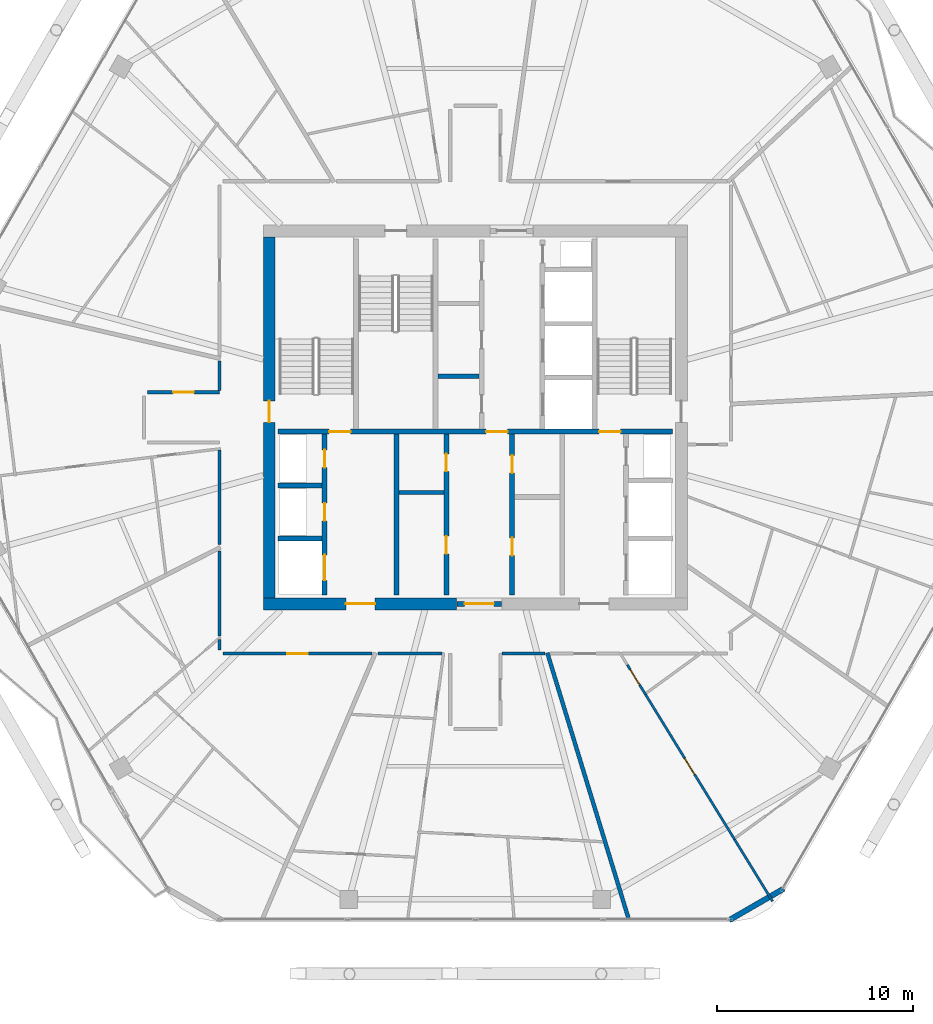
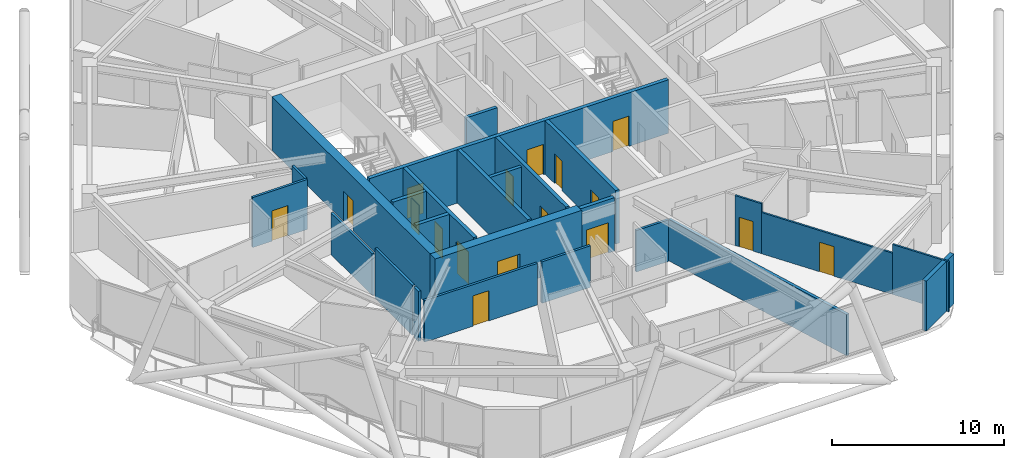
# One storey, part 21 of 27: 25 walls, 17 doors, 17 openings.
"""IFC4 building model written with IfcOpenShell, lengths in metres."""

from ifc_helpers import new_model, si_unit, direction, frame, frame_2d, origin, place, context, subcontext, project, spatial, rectangle, extrude, material, layer, layer_set, type_object, element, fill, save


model = new_model("IFC4")

# Units and contexts
model_context = context("Model", 3, precision=1e-05, world=origin(), true_north=direction((0.0, 1.0)))
body_context = subcontext(model_context, "Body", "Model", "MODEL_VIEW")
ifc_project = project(units=[si_unit("LENGTHUNIT", "METRE"), si_unit("AREAUNIT", "SQUARE_METRE"), si_unit("VOLUMEUNIT", "CUBIC_METRE"), si_unit("PLANEANGLEUNIT", "RADIAN"), si_unit("MASSUNIT", "GRAM", prefix="KILO")], contexts=[model_context])

# Site, building, storey
site_placement = place(None, origin())
site = spatial("IfcSite", under=ifc_project, at=site_placement, CompositionType="ELEMENT")
building_placement = place(site_placement, origin())
building = spatial("IfcBuilding", under=site, at=building_placement, Name="Zuhravey Tower", CompositionType="ELEMENT")
storey_placement = place(building_placement, frame((0.0, 0.0, 261.60009765625)))
storey = spatial("IfcBuildingStorey", under=building, at=storey_placement, Name="L66", CompositionType="ELEMENT", Elevation=261.60009765625)

# Wall, opening, door
ifc_material_1 = material(Name="Concrete C50/60", Category="concrete")
ifc_layer_1 = layer(ifc_material_1, 0.60009765625)
ifc_layer_set_1 = layer_set([ifc_layer_1], Name="Concrete C50/60")
wall_type_1 = type_object("IfcWallType", Name="Core Shear Wall 600", PredefinedType="SHEAR", material=ifc_layer_set_1)
wall_1_placement = place(storey_placement, frame((25.199951171875, 22.5, 0.0), z_axis=(0.0, 0.0, 1.0), x_axis=(1.0, 0.0, 0.0)))
wall_1 = element("IfcWall", 1, at=wall_1_placement, inside=storey, type_object=wall_type_1, Name="L66 South-West Core Shear Wall CW60", PredefinedType="SHEAR", context=body_context, shape_type="SweptSolid", body=[
    extrude(rectangle(XDim=9.85009765625, YDim=0.60009765625, at=frame_2d((4.925048828125, 0.0))), origin(), (0.0, 0.0, 1.0), 3.7998046875),
])
opening_1_placement = place(wall_1_placement, frame((4.199951171875, 0.0, 0.0)))
opening_1 = element("IfcOpeningElement", 2, at=opening_1_placement, cuts=wall_1, Name="Opening FFD1", PredefinedType="OPENING", context=body_context, shape_type="SweptSolid", body=[
    extrude(rectangle(XDim=1.5, YDim=2.14990234375, at=frame_2d((0.75, 1.074951171875))), frame((0.0, 0.31201171875, 0.0), z_axis=(0.0, -1.0, 0.0), x_axis=(1.0, 0.0, 0.0)), (0.0, 0.0, 1.0), 0.6240234375),
])
ifc_material_2 = material(Name="Galvanised fire-rated steel leaf", Category="steel")
door_type_1 = type_object("IfcDoorType", Name="Firefighting Lobby Double Door 1500x2150", OperationType="DOUBLE_DOOR_SINGLE_SWING", PredefinedType="DOOR", material=ifc_material_2)
door_1_placement = place(opening_1_placement, origin())
door_1 = element("IfcDoor", 3, at=door_1_placement, inside=storey, type_object=door_type_1, Name="L66 Firefighting Lobby West Door", OperationType="DOUBLE_DOOR_SINGLE_SWING", OverallHeight=2.14990234375, OverallWidth=1.5, PredefinedType="DOOR", context=body_context, shape_type="SweptSolid", body=[
    extrude(rectangle(XDim=1.5, YDim=2.14990234375, at=frame_2d((0.75, 1.074951171875))), frame((0.0, 0.02490234375, 0.0), z_axis=(0.0, -1.0, 0.0), x_axis=(1.0, 0.0, 0.0)), (0.0, 0.0, 1.0), 0.050048828125),
])
fill(opening_1, door_1)

wall_2_placement = place(storey_placement, frame((25.5, 22.800048828125, 0.0), z_axis=(0.0, 0.0, 1.0), x_axis=(0.0, 1.0, 0.0)))
wall_2 = element("IfcWall", 4, at=wall_2_placement, inside=storey, type_object=wall_type_1, Name="L66 West Core Shear Wall CW60", PredefinedType="SHEAR", context=body_context, shape_type="SweptSolid", body=[
    extrude(rectangle(XDim=18.39990234375, YDim=0.60009765625, at=frame_2d((9.199951171875, 0.0))), origin(), (0.0, 0.0, 1.0), 3.7998046875),
])
opening_2_placement = place(wall_2_placement, frame((8.949951171875, 0.0, 0.0)))
opening_2 = element("IfcOpeningElement", 5, at=opening_2_placement, cuts=wall_2, Name="Opening STD1", PredefinedType="OPENING", context=body_context, shape_type="SweptSolid", body=[
    extrude(rectangle(XDim=1.10009765625, YDim=2.14990234375, at=frame_2d((0.550048828125, 1.074951171875))), frame((0.0, 0.31201171875, 0.0), z_axis=(0.0, -1.0, 0.0), x_axis=(1.0, 0.0, 0.0)), (0.0, 0.0, 1.0), 0.6240234375),
])
door_type_2 = type_object("IfcDoorType", Name="Protected Stair Fire Door 1100x2150", OperationType="NOTDEFINED", PredefinedType="USERDEFINED", material=ifc_material_2)
door_2_placement = place(opening_2_placement, frame((1.10009765625, 0.0, 0.0), z_axis=(0.0, 0.0, 1.0), x_axis=(-1.0, 0.0, 0.0)))
door_2 = element("IfcDoor", 6, at=door_2_placement, inside=storey, type_object=door_type_2, Name="L66 Stair ST1 Door", ObjectType="EXITDOOR", OperationType="SINGLE_SWING_LEFT", OverallHeight=2.14990234375, OverallWidth=1.10009765625, PredefinedType="USERDEFINED", context=body_context, shape_type="SweptSolid", body=[
    extrude(rectangle(XDim=1.10009765625, YDim=2.14990234375, at=frame_2d((0.550048828125, 1.074951171875))), frame((0.0, 0.02490234375, 0.0), z_axis=(0.0, -1.0, 0.0), x_axis=(1.0, 0.0, 0.0)), (0.0, 0.0, 1.0), 0.050048828125),
])
fill(opening_2, door_2)

ifc_material_3 = material(Name="Gypsum fire-rated stud partition")
ifc_layer_2 = layer(ifc_material_3, 0.159912109375)
ifc_layer_set_2 = layer_set([ifc_layer_2], Name="Gypsum fire-rated stud partition")
wall_type_2 = type_object("IfcWallType", Name="Corridor Fire Partition 160", PredefinedType="PARTITIONING", material=ifc_layer_set_2)
wall_3_placement = place(storey_placement, frame((22.969970703125, 33.280029296875, 0.0), z_axis=(0.0, 0.0, 1.0), x_axis=(-1.0, 0.0, 0.0)))
wall_3 = element("IfcWall", 7, at=wall_3_placement, inside=storey, type_object=wall_type_2, Name="L66 IW16 Partition 030", PredefinedType="PARTITIONING", context=body_context, shape_type="SweptSolid", body=[
    extrude(rectangle(XDim=3.669921875, YDim=0.159912109375, at=frame_2d((1.8349609375, 0.0))), origin(), (0.0, 0.0, 1.0), 3.5498046875),
])
opening_3_placement = place(wall_3_placement, frame((1.31005859375, 0.0, 0.0)))
opening_3 = element("IfcOpeningElement", 8, at=opening_3_placement, cuts=wall_3, Name="Opening APD1", PredefinedType="OPENING", context=body_context, shape_type="SweptSolid", body=[
    extrude(rectangle(XDim=1.050048828125, YDim=2.14990234375, at=frame_2d((0.52490234375, 1.074951171875))), frame((0.0, 0.092041015625, 0.0), z_axis=(0.0, -1.0, 0.0), x_axis=(1.0, 0.0, 0.0)), (0.0, 0.0, 1.0), 0.183837890625),
])
ifc_material_4 = material(Name="Solid-core oak fire-rated leaf")
door_type_3 = type_object("IfcDoorType", Name="Apartment Entrance Fire Door 1050x2150", OperationType="NOTDEFINED", PredefinedType="DOOR", material=ifc_material_4)
door_3_placement = place(opening_3_placement, origin())
door_3 = element("IfcDoor", 9, at=door_3_placement, inside=storey, type_object=door_type_3, Name="L66 Door 030.1", OperationType="SINGLE_SWING_LEFT", OverallHeight=2.14990234375, OverallWidth=1.050048828125, PredefinedType="DOOR", context=body_context, shape_type="SweptSolid", body=[
    extrude(rectangle(XDim=1.050048828125, YDim=2.14990234375, at=frame_2d((0.52490234375, 1.074951171875))), frame((0.0, 0.02490234375, 0.0), z_axis=(0.0, -1.0, 0.0), x_axis=(1.0, 0.0, 0.0)), (0.0, 0.0, 1.0), 0.050048828125),
])
fill(opening_3, door_3)

wall_4_placement = place(storey_placement, frame((23.14990234375, 19.969970703125, 0.0), z_axis=(0.0, 0.0, 1.0), x_axis=(1.0, 0.0, 0.0)))
wall_4 = element("IfcWall", 10, at=wall_4_placement, inside=storey, type_object=wall_type_2, Name="L66 IW16 Partition 035", PredefinedType="PARTITIONING", context=body_context, shape_type="SweptSolid", body=[
    extrude(rectangle(XDim=7.597412109375, YDim=0.159912109375, at=frame_2d((3.798828125, 0.0))), origin(), (0.0, 0.0, 1.0), 2.949951171875),
])
opening_4_placement = place(wall_4_placement, frame((3.273681640625, 0.0, 0.0)))
opening_4 = element("IfcOpeningElement", 11, at=opening_4_placement, cuts=wall_4, Name="Opening APD1", PredefinedType="OPENING", context=body_context, shape_type="SweptSolid", body=[
    extrude(rectangle(XDim=1.050048828125, YDim=2.14990234375, at=frame_2d((0.52490234375, 1.074951171875))), frame((0.0, 0.092041015625, 0.0), z_axis=(0.0, -1.0, 0.0), x_axis=(1.0, 0.0, 0.0)), (0.0, 0.0, 1.0), 0.183837890625),
])
door_4_placement = place(opening_4_placement, frame((1.050048828125, 0.0, 0.0), z_axis=(0.0, 0.0, 1.0), x_axis=(-1.0, 0.0, 0.0)))
door_4 = element("IfcDoor", 12, at=door_4_placement, inside=storey, type_object=door_type_3, Name="L66 Door 035.1", OperationType="SINGLE_SWING_RIGHT", OverallHeight=2.14990234375, OverallWidth=1.050048828125, PredefinedType="DOOR", context=body_context, shape_type="SweptSolid", body=[
    extrude(rectangle(XDim=1.050048828125, YDim=2.14990234375, at=frame_2d((0.52490234375, 1.074951171875))), frame((0.0, 0.02490234375, 0.0), z_axis=(0.0, -1.0, 0.0), x_axis=(1.0, 0.0, 0.0)), (0.0, 0.0, 1.0), 0.050048828125),
])
fill(opening_4, door_4)

# Walls
wall_5_placement = place(storey_placement, frame((22.969970703125, 34.8681640625, 0.0), z_axis=(0.0, 0.0, 1.0), x_axis=(0.0, -1.0, 0.0)))
element("IfcWall", 13, at=wall_5_placement, inside=storey, type_object=wall_type_2, Name="L66 IW16 Partition 107", PredefinedType="PARTITIONING", context=body_context, shape_type="SweptSolid", body=[
    extrude(rectangle(XDim=1.500244140625, YDim=0.159912109375, at=frame_2d((0.75, 0.0))), origin(), (0.0, 0.0, 1.0), 3.5498046875),
])
wall_6_placement = place(storey_placement, frame((22.969970703125, 30.33154296875, 0.0), z_axis=(0.0, 0.0, 1.0), x_axis=(0.0, -1.0, 0.0)))
element("IfcWall", 14, at=wall_6_placement, inside=storey, type_object=wall_type_2, Name="L66 IW16 Partition 108", PredefinedType="PARTITIONING", context=body_context, shape_type="SweptSolid", body=[
    extrude(rectangle(XDim=4.8056640625, YDim=0.159912109375, at=frame_2d((2.40283203125, 0.0))), origin(), (0.0, 0.0, 1.0), 2.949951171875),
])
wall_7_placement = place(storey_placement, frame((22.969970703125, 20.678955078125, 0.0), z_axis=(0.0, 0.0, 1.0), x_axis=(0.0, -1.0, 0.0)))
element("IfcWall", 15, at=wall_7_placement, inside=storey, type_object=wall_type_2, Name="L66 IW16 Partition 109", PredefinedType="PARTITIONING", context=body_context, shape_type="SweptSolid", body=[
    extrude(rectangle(XDim=0.529052734375, YDim=0.159912109375, at=frame_2d((0.2646484375, 0.0))), origin(), (0.0, 0.0, 1.0), 3.5498046875),
])
wall_8_placement = place(storey_placement, frame((22.969970703125, 25.194580078125, 0.0), z_axis=(0.0, 0.0, 1.0), x_axis=(0.0, -1.0, 0.0)))
element("IfcWall", 16, at=wall_8_placement, inside=storey, type_object=wall_type_2, Name="L66 IW16 Partition 110", PredefinedType="PARTITIONING", context=body_context, shape_type="SweptSolid", body=[
    extrude(rectangle(XDim=4.336181640625, YDim=0.159912109375, at=frame_2d((2.16796875, 0.0))), origin(), (0.0, 0.0, 1.0), 3.5498046875),
])
wall_9_placement = place(storey_placement, frame((37.367919921875, 19.969970703125, 0.0), z_axis=(0.0, 0.0, 1.0), x_axis=(1.0, 0.0, 0.0)))
element("IfcWall", 17, at=wall_9_placement, inside=storey, type_object=wall_type_2, Name="L66 IW16 Partition 112", PredefinedType="PARTITIONING", context=body_context, shape_type="SweptSolid", body=[
    extrude(rectangle(XDim=2.174560546875, YDim=0.159912109375, at=frame_2d((1.08740234375, 0.0))), origin(), (0.0, 0.0, 1.0), 2.949951171875),
])
wall_10_placement = place(storey_placement, frame((31.038818359375, 19.969970703125, 0.0), z_axis=(0.0, 0.0, 1.0), x_axis=(1.0, 0.0, 0.0)))
element("IfcWall", 18, at=wall_10_placement, inside=storey, type_object=wall_type_2, Name="L66 IW16 Partition 114", PredefinedType="PARTITIONING", context=body_context, shape_type="SweptSolid", body=[
    extrude(rectangle(XDim=3.270263671875, YDim=0.159912109375, at=frame_2d((1.63525390625, 0.0))), origin(), (0.0, 0.0, 1.0), 2.949951171875),
])
ifc_material_5 = material(Name="Precast concrete C40/50", Category="concrete")
ifc_layer_3 = layer(ifc_material_5, 0.280029296875)
ifc_layer_set_3 = layer_set([ifc_layer_3], Name="Precast concrete C40/50")
wall_type_3 = type_object("IfcWallType", Name="Crown Architectural Wall 280", PredefinedType="SOLIDWALL", material=ifc_layer_set_3)
wall_11_placement = place(storey_placement, frame((51.714599609375, 7.996337890625, 0.0), z_axis=(0.0, 0.0, 1.0), x_axis=(-0.866028773314, -0.499994163758, 0.0)))
element("IfcWall", 19, at=wall_11_placement, inside=storey, type_object=wall_type_3, Name="L66 Rounded Corner Closure Wall EW28-02", PredefinedType="SOLIDWALL", context=body_context, shape_type="SweptSolid", body=[
    extrude(rectangle(XDim=3.21484375, YDim=0.280029296875, at=frame_2d((1.607421875, 0.0))), origin(), (0.0, 0.0, 1.0), 3.5498046875),
])

# Wall, opening, door
ifc_layer_4 = layer(ifc_material_1, 0.25)
ifc_layer_set_4 = layer_set([ifc_layer_4], Name="Concrete C50/60")
wall_type_4 = type_object("IfcWallType", Name="Firefighting Shaft & Stair Wall 250", PredefinedType="SOLIDWALL", material=ifc_layer_set_4)
wall_12_placement = place(storey_placement, frame((35.06005859375, 22.5, 0.0), z_axis=(0.0, 0.0, 1.0), x_axis=(1.0, 0.0, 0.0)))
wall_12 = element("IfcWall", 20, at=wall_12_placement, inside=storey, type_object=wall_type_4, Name="L66 FW25 Shaft Wall 001", PredefinedType="SOLIDWALL", context=body_context, shape_type="SweptSolid", body=[
    extrude(rectangle(XDim=2.280029296875, YDim=0.25, at=frame_2d((1.14013671875, 0.0))), origin(), (0.0, 0.0, 1.0), 3.7998046875),
])
opening_5_placement = place(wall_12_placement, frame((0.389892578125, 0.0, 0.0)))
opening_5 = element("IfcOpeningElement", 21, at=opening_5_placement, cuts=wall_12, Name="Opening FFD1", PredefinedType="OPENING", context=body_context, shape_type="SweptSolid", body=[
    extrude(rectangle(XDim=1.5, YDim=2.14990234375, at=frame_2d((0.75, 1.074951171875))), frame((0.0, 0.136962890625, 0.0), z_axis=(0.0, -1.0, 0.0), x_axis=(1.0, 0.0, 0.0)), (0.0, 0.0, 1.0), 0.27392578125),
])
door_5_placement = place(opening_5_placement, frame((1.5, 0.0, 0.0), z_axis=(0.0, 0.0, 1.0), x_axis=(-1.0, 0.0, 0.0)))
door_5 = element("IfcDoor", 22, at=door_5_placement, inside=storey, type_object=door_type_1, Name="L66 South Lift Lobby Exit Door", OperationType="DOUBLE_DOOR_SINGLE_SWING", OverallHeight=2.14990234375, OverallWidth=1.5, PredefinedType="DOOR", context=body_context, shape_type="SweptSolid", body=[
    extrude(rectangle(XDim=1.5, YDim=2.14990234375, at=frame_2d((0.75, 1.074951171875))), frame((0.0, 0.02490234375, 0.0), z_axis=(0.0, -1.0, 0.0), x_axis=(1.0, 0.0, 0.0)), (0.0, 0.0, 1.0), 0.050048828125),
])
fill(opening_5, door_5)

# Wall, openings, doors
wall_13_placement = place(storey_placement, frame((25.949951171875, 31.27490234375, 0.0), z_axis=(0.0, 0.0, 1.0), x_axis=(1.0, 0.0, 0.0)))
wall_13 = element("IfcWall", 23, at=wall_13_placement, inside=storey, type_object=wall_type_4, Name="L66 FW25 Shaft Wall 003", PredefinedType="SOLIDWALL", context=body_context, shape_type="SweptSolid", body=[
    extrude(rectangle(XDim=20.10009765625, YDim=0.25, at=frame_2d((10.050048828125, 0.0))), origin(), (0.0, 0.0, 1.0), 3.7998046875),
])
opening_6_placement = place(wall_13_placement, frame((2.60009765625, 0.0, 0.0)))
opening_6 = element("IfcOpeningElement", 24, at=opening_6_placement, cuts=wall_13, Name="Opening STD1", PredefinedType="OPENING", context=body_context, shape_type="SweptSolid", body=[
    extrude(rectangle(XDim=1.10009765625, YDim=2.14990234375, at=frame_2d((0.550048828125, 1.074951171875))), frame((0.0, 0.136962890625, 0.0), z_axis=(0.0, -1.0, 0.0), x_axis=(1.0, 0.0, 0.0)), (0.0, 0.0, 1.0), 0.27392578125),
])
opening_7_placement = place(wall_13_placement, frame((10.60009765625, 0.0, 0.0)))
opening_7 = element("IfcOpeningElement", 25, at=opening_7_placement, cuts=wall_13, Name="Opening STD1", PredefinedType="OPENING", context=body_context, shape_type="SweptSolid", body=[
    extrude(rectangle(XDim=1.10009765625, YDim=2.14990234375, at=frame_2d((0.550048828125, 1.074951171875))), frame((0.0, 0.136962890625, 0.0), z_axis=(0.0, -1.0, 0.0), x_axis=(1.0, 0.0, 0.0)), (0.0, 0.0, 1.0), 0.27392578125),
])
opening_8_placement = place(wall_13_placement, frame((16.35009765625, 0.0, 0.0)))
opening_8 = element("IfcOpeningElement", 26, at=opening_8_placement, cuts=wall_13, Name="Opening STD1", PredefinedType="OPENING", context=body_context, shape_type="SweptSolid", body=[
    extrude(rectangle(XDim=1.10009765625, YDim=2.14990234375, at=frame_2d((0.550048828125, 1.074951171875))), frame((0.0, 0.136962890625, 0.0), z_axis=(0.0, -1.0, 0.0), x_axis=(1.0, 0.0, 0.0)), (0.0, 0.0, 1.0), 0.27392578125),
])
door_6_placement = place(opening_6_placement, origin())
door_6 = element("IfcDoor", 27, at=door_6_placement, inside=storey, type_object=door_type_2, Name="L66 FFL-W to ST1 Door", ObjectType="EXITDOOR", OperationType="SINGLE_SWING_RIGHT", OverallHeight=2.14990234375, OverallWidth=1.10009765625, PredefinedType="USERDEFINED", context=body_context, shape_type="SweptSolid", body=[
    extrude(rectangle(XDim=1.10009765625, YDim=2.14990234375, at=frame_2d((0.550048828125, 1.074951171875))), frame((0.0, 0.02490234375, 0.0), z_axis=(0.0, -1.0, 0.0), x_axis=(1.0, 0.0, 0.0)), (0.0, 0.0, 1.0), 0.050048828125),
])
fill(opening_6, door_6)
door_7_placement = place(opening_7_placement, origin())
door_7 = element("IfcDoor", 28, at=door_7_placement, inside=storey, type_object=door_type_2, Name="L66 Core Lobby Link Door", ObjectType="EXITDOOR", OperationType="SINGLE_SWING_LEFT", OverallHeight=2.14990234375, OverallWidth=1.10009765625, PredefinedType="USERDEFINED", context=body_context, shape_type="SweptSolid", body=[
    extrude(rectangle(XDim=1.10009765625, YDim=2.14990234375, at=frame_2d((0.550048828125, 1.074951171875))), frame((0.0, 0.02490234375, 0.0), z_axis=(0.0, -1.0, 0.0), x_axis=(1.0, 0.0, 0.0)), (0.0, 0.0, 1.0), 0.050048828125),
])
fill(opening_7, door_7)
door_8_placement = place(opening_8_placement, origin())
door_8 = element("IfcDoor", 29, at=door_8_placement, inside=storey, type_object=door_type_2, Name="L66 FFL-E to ST2 Door", ObjectType="EXITDOOR", OperationType="SINGLE_SWING_RIGHT", OverallHeight=2.14990234375, OverallWidth=1.10009765625, PredefinedType="USERDEFINED", context=body_context, shape_type="SweptSolid", body=[
    extrude(rectangle(XDim=1.10009765625, YDim=2.14990234375, at=frame_2d((0.550048828125, 1.074951171875))), frame((0.0, 0.02490234375, 0.0), z_axis=(0.0, -1.0, 0.0), x_axis=(1.0, 0.0, 0.0)), (0.0, 0.0, 1.0), 0.050048828125),
])
fill(opening_8, door_8)

# Walls
for number, where, z_axis, x_axis, name in (
    (30, (25.949951171875, 25.824951171875, 0.0), (0.0, 0.0, 1.0), (1.0, 0.0, 0.0), "L66 FW25 Shaft Wall 009"),
    (31, (25.949951171875, 28.52490234375, 0.0), (0.0, 0.0, 1.0), (1.0, 0.0, 0.0), "L66 FW25 Shaft Wall 010"),
):
    element("IfcWall", number, at=place(storey_placement, frame(where, z_axis=z_axis, x_axis=x_axis)), inside=storey, type_object=wall_type_4, Name=name, PredefinedType="SOLIDWALL", context=body_context, shape_type="SweptSolid", body=[
        extrude(rectangle(XDim=2.25, YDim=0.25, at=frame_2d((1.125, 0.0))), origin(), (0.0, 0.0, 1.0), 3.7998046875),
    ])

# Wall, openings, doors
wall_14_placement = place(storey_placement, frame((28.324951171875, 22.949951171875, 0.0), z_axis=(0.0, 0.0, 1.0), x_axis=(0.0, 1.0, 0.0)))
wall_14 = element("IfcWall", 32, at=wall_14_placement, inside=storey, type_object=wall_type_4, Name="L66 FW25 Shaft Wall 011", PredefinedType="SOLIDWALL", context=body_context, shape_type="SweptSolid", body=[
    extrude(rectangle(XDim=8.199951171875, YDim=0.25, at=frame_2d((4.10009765625, 0.0))), origin(), (0.0, 0.0, 1.0), 3.7998046875),
])
opening_9_placement = place(wall_14_placement, frame((0.75, 0.0, 0.0)))
opening_9 = element("IfcOpeningElement", 33, at=opening_9_placement, cuts=wall_14, Name="Opening LD2", PredefinedType="OPENING", context=body_context, shape_type="SweptSolid", body=[
    extrude(rectangle(XDim=1.300048828125, YDim=2.300048828125, at=frame_2d((0.64990234375, 1.14990234375))), frame((0.0, 0.136962890625, 0.0), z_axis=(0.0, -1.0, 0.0), x_axis=(1.0, 0.0, 0.0)), (0.0, 0.0, 1.0), 0.27392578125),
])
opening_10_placement = place(wall_14_placement, frame((3.780029296875, 0.0, 0.0)))
opening_10 = element("IfcOpeningElement", 34, at=opening_10_placement, cuts=wall_14, Name="Opening RSD1", PredefinedType="OPENING", context=body_context, shape_type="SweptSolid", body=[
    extrude(rectangle(XDim=0.89990234375, YDim=2.10009765625, at=frame_2d((0.449951171875, 1.050048828125))), frame((0.0, 0.136962890625, 0.0), z_axis=(0.0, -1.0, 0.0), x_axis=(1.0, 0.0, 0.0)), (0.0, 0.0, 1.0), 0.27392578125),
])
opening_11_placement = place(wall_14_placement, frame((6.5, 0.0, 0.0)))
opening_11 = element("IfcOpeningElement", 35, at=opening_11_placement, cuts=wall_14, Name="Opening RSD1", PredefinedType="OPENING", context=body_context, shape_type="SweptSolid", body=[
    extrude(rectangle(XDim=0.89990234375, YDim=2.10009765625, at=frame_2d((0.449951171875, 1.050048828125))), frame((0.0, 0.136962890625, 0.0), z_axis=(0.0, -1.0, 0.0), x_axis=(1.0, 0.0, 0.0)), (0.0, 0.0, 1.0), 0.27392578125),
])
ifc_material_6 = material(Name="Brushed stainless steel", Category="steel")
door_type_4 = type_object("IfcDoorType", Name="Freight & Stretcher Lift Sliding Door 1300x2300", OperationType="DOUBLE_DOOR_SLIDING", PredefinedType="DOOR", material=ifc_material_6)
door_9_placement = place(opening_9_placement, frame((1.300048828125, 0.0, 0.0), z_axis=(0.0, 0.0, 1.0), x_axis=(-1.0, 0.0, 0.0)))
door_9 = element("IfcDoor", 36, at=door_9_placement, inside=storey, type_object=door_type_4, Name="L66 Lift FF1 Landing Door", OperationType="DOUBLE_DOOR_SLIDING", OverallHeight=2.300048828125, OverallWidth=1.300048828125, PredefinedType="DOOR", context=body_context, shape_type="SweptSolid", body=[
    extrude(rectangle(XDim=1.300048828125, YDim=2.300048828125, at=frame_2d((0.64990234375, 1.14990234375))), frame((0.0, 0.02490234375, 0.0), z_axis=(0.0, -1.0, 0.0), x_axis=(1.0, 0.0, 0.0)), (0.0, 0.0, 1.0), 0.050048828125),
])
fill(opening_9, door_9)
ifc_material_7 = material(Name="Galvanised fire-rated steel access leaf", Category="steel")
door_type_5 = type_object("IfcDoorType", Name="Riser & Shaft Access Fire Door 900x2100", OperationType="NOTDEFINED", PredefinedType="DOOR", material=ifc_material_7)
door_10_placement = place(opening_10_placement, frame((0.89990234375, 0.0, 0.0), z_axis=(0.0, 0.0, 1.0), x_axis=(-1.0, 0.0, 0.0)))
door_10 = element("IfcDoor", 37, at=door_10_placement, inside=storey, type_object=door_type_5, Name="L66 Electrical Riser Door", OperationType="SINGLE_SWING_LEFT", OverallHeight=2.10009765625, OverallWidth=0.89990234375, PredefinedType="DOOR", context=body_context, shape_type="SweptSolid", body=[
    extrude(rectangle(XDim=0.89990234375, YDim=2.10009765625, at=frame_2d((0.449951171875, 1.050048828125))), frame((0.0, 0.02490234375, 0.0), z_axis=(0.0, -1.0, 0.0), x_axis=(1.0, 0.0, 0.0)), (0.0, 0.0, 1.0), 0.050048828125),
])
fill(opening_10, door_10)
door_11_placement = place(opening_11_placement, frame((0.89990234375, 0.0, 0.0), z_axis=(0.0, 0.0, 1.0), x_axis=(-1.0, 0.0, 0.0)))
door_11 = element("IfcDoor", 38, at=door_11_placement, inside=storey, type_object=door_type_5, Name="L66 Smoke Shaft Access Door", OperationType="SINGLE_SWING_RIGHT", OverallHeight=2.10009765625, OverallWidth=0.89990234375, PredefinedType="DOOR", context=body_context, shape_type="SweptSolid", body=[
    extrude(rectangle(XDim=0.89990234375, YDim=2.10009765625, at=frame_2d((0.449951171875, 1.050048828125))), frame((0.0, 0.02490234375, 0.0), z_axis=(0.0, -1.0, 0.0), x_axis=(1.0, 0.0, 0.0)), (0.0, 0.0, 1.0), 0.050048828125),
])
fill(opening_11, door_11)

# Wall
wall_15_placement = place(storey_placement, frame((31.97509765625, 22.949951171875, 0.0), z_axis=(0.0, 0.0, 1.0), x_axis=(0.0, 1.0, 0.0)))
element("IfcWall", 39, at=wall_15_placement, inside=storey, type_object=wall_type_4, Name="L66 FW25 Shaft Wall 012", PredefinedType="SOLIDWALL", context=body_context, shape_type="SweptSolid", body=[
    extrude(rectangle(XDim=8.199951171875, YDim=0.25, at=frame_2d((4.10009765625, 0.0))), origin(), (0.0, 0.0, 1.0), 3.7998046875),
])

# Wall, openings, doors
wall_16_placement = place(storey_placement, frame((34.52490234375, 22.949951171875, 0.0), z_axis=(0.0, 0.0, 1.0), x_axis=(0.0, 1.0, 0.0)))
wall_16 = element("IfcWall", 40, at=wall_16_placement, inside=storey, type_object=wall_type_4, Name="L66 FW25 Shaft Wall 013", PredefinedType="SOLIDWALL", context=body_context, shape_type="SweptSolid", body=[
    extrude(rectangle(XDim=8.199951171875, YDim=0.25, at=frame_2d((4.10009765625, 0.0))), origin(), (0.0, 0.0, 1.0), 3.7998046875),
])
opening_12_placement = place(wall_16_placement, frame((2.10009765625, 0.0, 0.0)))
opening_12 = element("IfcOpeningElement", 41, at=opening_12_placement, cuts=wall_16, Name="Opening RSD1", PredefinedType="OPENING", context=body_context, shape_type="SweptSolid", body=[
    extrude(rectangle(XDim=0.89990234375, YDim=2.10009765625, at=frame_2d((0.449951171875, 1.050048828125))), frame((0.0, 0.136962890625, 0.0), z_axis=(0.0, -1.0, 0.0), x_axis=(1.0, 0.0, 0.0)), (0.0, 0.0, 1.0), 0.27392578125),
])
opening_13_placement = place(wall_16_placement, frame((6.300048828125, 0.0, 0.0)))
opening_13 = element("IfcOpeningElement", 42, at=opening_13_placement, cuts=wall_16, Name="Opening RSD1", PredefinedType="OPENING", context=body_context, shape_type="SweptSolid", body=[
    extrude(rectangle(XDim=0.89990234375, YDim=2.10009765625, at=frame_2d((0.449951171875, 1.050048828125))), frame((0.0, 0.136962890625, 0.0), z_axis=(0.0, -1.0, 0.0), x_axis=(1.0, 0.0, 0.0)), (0.0, 0.0, 1.0), 0.27392578125),
])
door_12_placement = place(opening_12_placement, origin())
door_12 = element("IfcDoor", 43, at=door_12_placement, inside=storey, type_object=door_type_5, Name="L66 Housekeeping Store Door", OperationType="SINGLE_SWING_LEFT", OverallHeight=2.10009765625, OverallWidth=0.89990234375, PredefinedType="DOOR", context=body_context, shape_type="SweptSolid", body=[
    extrude(rectangle(XDim=0.89990234375, YDim=2.10009765625, at=frame_2d((0.449951171875, 1.050048828125))), frame((0.0, 0.02490234375, 0.0), z_axis=(0.0, -1.0, 0.0), x_axis=(1.0, 0.0, 0.0)), (0.0, 0.0, 1.0), 0.050048828125),
])
fill(opening_12, door_12)
door_13_placement = place(opening_13_placement, origin())
door_13 = element("IfcDoor", 44, at=door_13_placement, inside=storey, type_object=door_type_5, Name="L66 Comms Closet Door", OperationType="SINGLE_SWING_RIGHT", OverallHeight=2.10009765625, OverallWidth=0.89990234375, PredefinedType="DOOR", context=body_context, shape_type="SweptSolid", body=[
    extrude(rectangle(XDim=0.89990234375, YDim=2.10009765625, at=frame_2d((0.449951171875, 1.050048828125))), frame((0.0, 0.02490234375, 0.0), z_axis=(0.0, -1.0, 0.0), x_axis=(1.0, 0.0, 0.0)), (0.0, 0.0, 1.0), 0.050048828125),
])
fill(opening_13, door_13)

wall_17_placement = place(storey_placement, frame((37.875, 22.949951171875, 0.0), z_axis=(0.0, 0.0, 1.0), x_axis=(0.0, 1.0, 0.0)))
wall_17 = element("IfcWall", 45, at=wall_17_placement, inside=storey, type_object=wall_type_4, Name="L66 FW25 Shaft Wall 015", PredefinedType="SOLIDWALL", context=body_context, shape_type="SweptSolid", body=[
    extrude(rectangle(XDim=8.199951171875, YDim=0.25, at=frame_2d((4.10009765625, 0.0))), origin(), (0.0, 0.0, 1.0), 3.7998046875),
])
opening_14_placement = place(wall_17_placement, frame((2.012451171875, 0.0, 0.0)))
opening_14 = element("IfcOpeningElement", 46, at=opening_14_placement, cuts=wall_17, Name="Opening RSD1", PredefinedType="OPENING", context=body_context, shape_type="SweptSolid", body=[
    extrude(rectangle(XDim=0.89990234375, YDim=2.10009765625, at=frame_2d((0.449951171875, 1.050048828125))), frame((0.0, 0.136962890625, 0.0), z_axis=(0.0, -1.0, 0.0), x_axis=(1.0, 0.0, 0.0)), (0.0, 0.0, 1.0), 0.27392578125),
])
opening_15_placement = place(wall_17_placement, frame((6.21240234375, 0.0, 0.0)))
opening_15 = element("IfcOpeningElement", 47, at=opening_15_placement, cuts=wall_17, Name="Opening RSD1", PredefinedType="OPENING", context=body_context, shape_type="SweptSolid", body=[
    extrude(rectangle(XDim=0.89990234375, YDim=2.10009765625, at=frame_2d((0.449951171875, 1.050048828125))), frame((0.0, 0.136962890625, 0.0), z_axis=(0.0, -1.0, 0.0), x_axis=(1.0, 0.0, 0.0)), (0.0, 0.0, 1.0), 0.27392578125),
])
door_14_placement = place(opening_14_placement, frame((0.89990234375, 0.0, 0.0), z_axis=(0.0, 0.0, 1.0), x_axis=(-1.0, 0.0, 0.0)))
door_14 = element("IfcDoor", 48, at=door_14_placement, inside=storey, type_object=door_type_5, Name="L66 Trunk Store Door", OperationType="SINGLE_SWING_LEFT", OverallHeight=2.10009765625, OverallWidth=0.89990234375, PredefinedType="DOOR", context=body_context, shape_type="SweptSolid", body=[
    extrude(rectangle(XDim=0.89990234375, YDim=2.10009765625, at=frame_2d((0.449951171875, 1.050048828125))), frame((0.0, 0.02490234375, 0.0), z_axis=(0.0, -1.0, 0.0), x_axis=(1.0, 0.0, 0.0)), (0.0, 0.0, 1.0), 0.050048828125),
])
fill(opening_14, door_14)
door_15_placement = place(opening_15_placement, frame((0.89990234375, 0.0, 0.0), z_axis=(0.0, 0.0, 1.0), x_axis=(-1.0, 0.0, 0.0)))
door_15 = element("IfcDoor", 49, at=door_15_placement, inside=storey, type_object=door_type_5, Name="L66 Fiber Room Door", OperationType="SINGLE_SWING_RIGHT", OverallHeight=2.10009765625, OverallWidth=0.89990234375, PredefinedType="DOOR", context=body_context, shape_type="SweptSolid", body=[
    extrude(rectangle(XDim=0.89990234375, YDim=2.10009765625, at=frame_2d((0.449951171875, 1.050048828125))), frame((0.0, 0.02490234375, 0.0), z_axis=(0.0, -1.0, 0.0), x_axis=(1.0, 0.0, 0.0)), (0.0, 0.0, 1.0), 0.050048828125),
])
fill(opening_15, door_15)

# Walls
ifc_material_8 = material(Name="Gypsum double-stud party assembly")
ifc_layer_5 = layer(ifc_material_8, 0.199951171875)
ifc_layer_set_5 = layer_set([ifc_layer_5], Name="Gypsum double-stud party assembly")
wall_type_5 = type_object("IfcWallType", Name="Inter-Tenancy Party Wall 200", PredefinedType="PARTITIONING", material=ifc_layer_set_5)
wall_18_placement = place(storey_placement, frame((39.665771484375, 20.010009765625, 0.0), z_axis=(0.0, 0.0, 1.0), x_axis=(0.292371477774, -0.956304825348, 0.0)))
element("IfcWall", 50, at=wall_18_placement, inside=storey, type_object=wall_type_5, Name="L66 IW20 Partition 084", PredefinedType="PARTITIONING", context=body_context, shape_type="SweptSolid", body=[
    extrude(rectangle(XDim=14.19384765625, YDim=0.199951171875, at=frame_2d((7.096923828125, 0.0))), origin(), (0.0, 0.0, 1.0), 2.929931640625),
])
ifc_material_9 = material(Name="Gypsum acoustic stud assembly")
ifc_layer_6 = layer(ifc_material_9, 0.219970703125)
ifc_layer_set_6 = layer_set([ifc_layer_6], Name="Gypsum acoustic stud assembly")
wall_type_6 = type_object("IfcWallType", Name="School Acoustic Compartment Wall 220", PredefinedType="PARTITIONING", material=ifc_layer_set_6)
wall_19_placement = place(storey_placement, frame((34.10791015625, 34.10009765625, 0.0), z_axis=(0.0, 0.0, 1.0), x_axis=(1.0, 0.0, 0.0)))
element("IfcWall", 51, at=wall_19_placement, inside=storey, type_object=wall_type_6, Name="L66 IW22 Partition 061", PredefinedType="PARTITIONING", context=body_context, shape_type="SweptSolid", body=[
    extrude(rectangle(XDim=2.083984375, YDim=0.219970703125, at=frame_2d((1.0419921875, 0.0))), origin(), (0.0, 0.0, 1.0), 3.5498046875),
])
wall_20_placement = place(storey_placement, frame((32.10791015625, 28.175048828125, 0.0), z_axis=(0.0, 0.0, 1.0), x_axis=(1.0, 0.0, 0.0)))
element("IfcWall", 52, at=wall_20_placement, inside=storey, type_object=wall_type_6, Name="L66 IW22 Partition 066", PredefinedType="PARTITIONING", context=body_context, shape_type="SweptSolid", body=[
    extrude(rectangle(XDim=2.2841796875, YDim=0.219970703125, at=frame_2d((1.14208984375, 0.0))), origin(), (0.0, 0.0, 1.0), 3.5498046875),
])

# Wall, opening, door
ifc_material_10 = material(Name="Gypsum metal-stud partition")
ifc_layer_7 = layer(ifc_material_10, 0.1201171875)
ifc_layer_set_7 = layer_set([ifc_layer_7], Name="Gypsum metal-stud partition")
wall_type_7 = type_object("IfcWallType", Name="Unit Internal Partition 120", PredefinedType="PARTITIONING", material=ifc_layer_set_7)
wall_21_placement = place(storey_placement, frame((43.739501953125, 19.39990234375, 0.0), z_axis=(0.0, 0.0, 1.0), x_axis=(0.523441067702, -0.852061880759, 0.0)))
wall_21 = element("IfcWall", 53, at=wall_21_placement, inside=storey, type_object=wall_type_7, Name="L66 IW12 Partition 042", PredefinedType="PARTITIONING", context=body_context, shape_type="SweptSolid", body=[
    extrude(rectangle(XDim=1.764404296875, YDim=0.1201171875, at=frame_2d((0.88232421875, 0.0))), origin(), (0.0, 0.0, 1.0), 3.5498046875),
])
opening_16_placement = place(wall_21_placement, frame((0.291015625, 0.0, 0.0)))
opening_16 = element("IfcOpeningElement", 54, at=opening_16_placement, cuts=wall_21, Name="Opening WCD1", PredefinedType="OPENING", context=body_context, shape_type="SweptSolid", body=[
    extrude(rectangle(XDim=0.89990234375, YDim=2.10009765625, at=frame_2d((0.449951171875, 1.050048828125))), frame((0.0, 0.072021484375, 0.0), z_axis=(0.0, -1.0, 0.0), x_axis=(1.0, 0.0, 0.0)), (0.0, 0.0, 1.0), 0.14404296875),
])
ifc_material_11 = material(Name="Moisture-resistant timber leaf", Category="wood")
door_type_6 = type_object("IfcDoorType", Name="Bathroom & WC Internal Door 900x2100", OperationType="NOTDEFINED", PredefinedType="DOOR", material=ifc_material_11)
door_16_placement = place(opening_16_placement, origin())
door_16 = element("IfcDoor", 55, at=door_16_placement, inside=storey, type_object=door_type_6, Name="Apartment L66-05 Bathroom Door", OperationType="SINGLE_SWING_LEFT", OverallHeight=2.10009765625, OverallWidth=0.89990234375, PredefinedType="DOOR", context=body_context, shape_type="SweptSolid", body=[
    extrude(rectangle(XDim=0.89990234375, YDim=2.10009765625, at=frame_2d((0.449951171875, 1.050048828125))), frame((0.0, 0.02490234375, 0.0), z_axis=(0.0, -1.0, 0.0), x_axis=(1.0, 0.0, 0.0)), (0.0, 0.0, 1.0), 0.050048828125),
])
fill(opening_16, door_16)

wall_22_placement = place(storey_placement, frame((44.6630859375, 17.896484375, 0.0), z_axis=(0.0, 0.0, 1.0), x_axis=(0.523381863005, -0.852098248723, 0.0)))
wall_22 = element("IfcWall", 56, at=wall_22_placement, inside=storey, type_object=wall_type_7, Name="L66 IW12 Partition 043", PredefinedType="PARTITIONING", context=body_context, shape_type="SweptSolid", body=[
    extrude(rectangle(XDim=8.663818359375, YDim=0.1201171875, at=frame_2d((4.33203125, 0.0))), origin(), (0.0, 0.0, 1.0), 2.929931640625),
])
opening_17_placement = place(wall_22_placement, frame((3.831787109375, 0.0, 0.0)))
opening_17 = element("IfcOpeningElement", 57, at=opening_17_placement, cuts=wall_22, Name="Opening IND1", PredefinedType="OPENING", context=body_context, shape_type="SweptSolid", body=[
    extrude(rectangle(XDim=0.949951171875, YDim=2.10009765625, at=frame_2d((0.47509765625, 1.050048828125))), frame((0.0, 0.072021484375, 0.0), z_axis=(0.0, -1.0, 0.0), x_axis=(1.0, 0.0, 0.0)), (0.0, 0.0, 1.0), 0.14404296875),
])
ifc_material_12 = material(Name="Painted engineered timber leaf", Category="wood")
door_type_7 = type_object("IfcDoorType", Name="Internal Room & Bedroom Door 950x2100", OperationType="NOTDEFINED", PredefinedType="DOOR", material=ifc_material_12)
door_17_placement = place(opening_17_placement, origin())
door_17 = element("IfcDoor", 58, at=door_17_placement, inside=storey, type_object=door_type_7, Name="Apartment L66-05 Home Office Door", OperationType="SINGLE_SWING_RIGHT", OverallHeight=2.10009765625, OverallWidth=0.949951171875, PredefinedType="DOOR", context=body_context, shape_type="SweptSolid", body=[
    extrude(rectangle(XDim=0.949951171875, YDim=2.10009765625, at=frame_2d((0.47509765625, 1.050048828125))), frame((0.0, 0.02490234375, 0.0), z_axis=(0.0, -1.0, 0.0), x_axis=(1.0, 0.0, 0.0)), (0.0, 0.0, 1.0), 0.050048828125),
])
fill(opening_17, door_17)

# Wall
wall_23_placement = place(storey_placement, frame((49.197509765625, 10.51416015625, 0.0), z_axis=(0.0, 0.0, 1.0), x_axis=(0.523392872286, -0.852091486426, 0.0)))
element("IfcWall", 59, at=wall_23_placement, inside=storey, type_object=wall_type_7, Name="L66 IW12 Partition 086", PredefinedType="PARTITIONING", context=body_context, shape_type="SweptSolid", body=[
    extrude(rectangle(XDim=3.712890625, YDim=0.1201171875, at=frame_2d((1.8564453125, 0.0))), origin(), (0.0, 0.0, 1.0), 3.5498046875),
])

save(model, "model.ifc")
